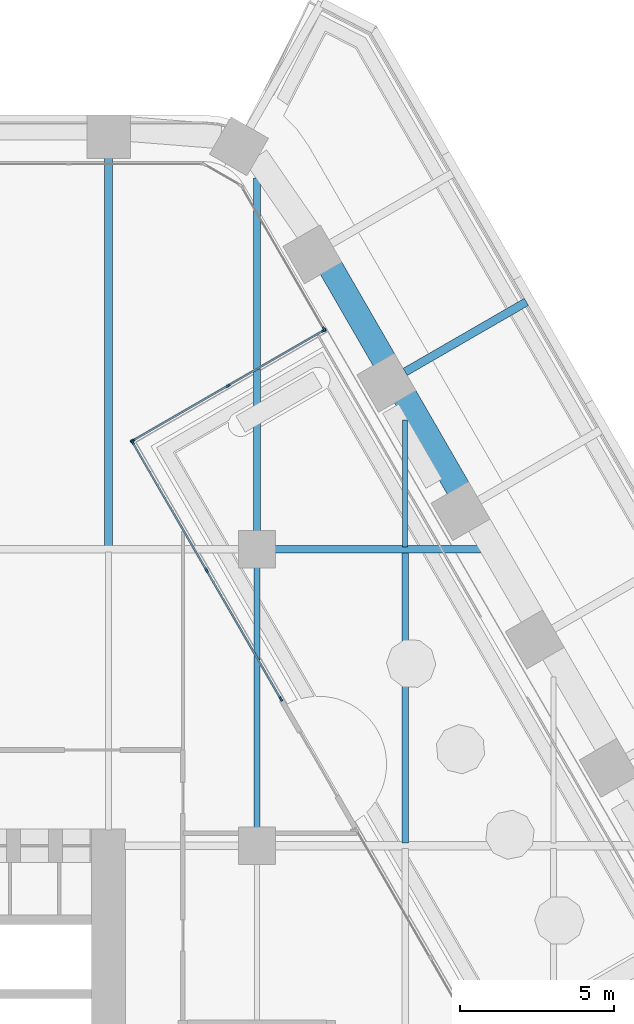
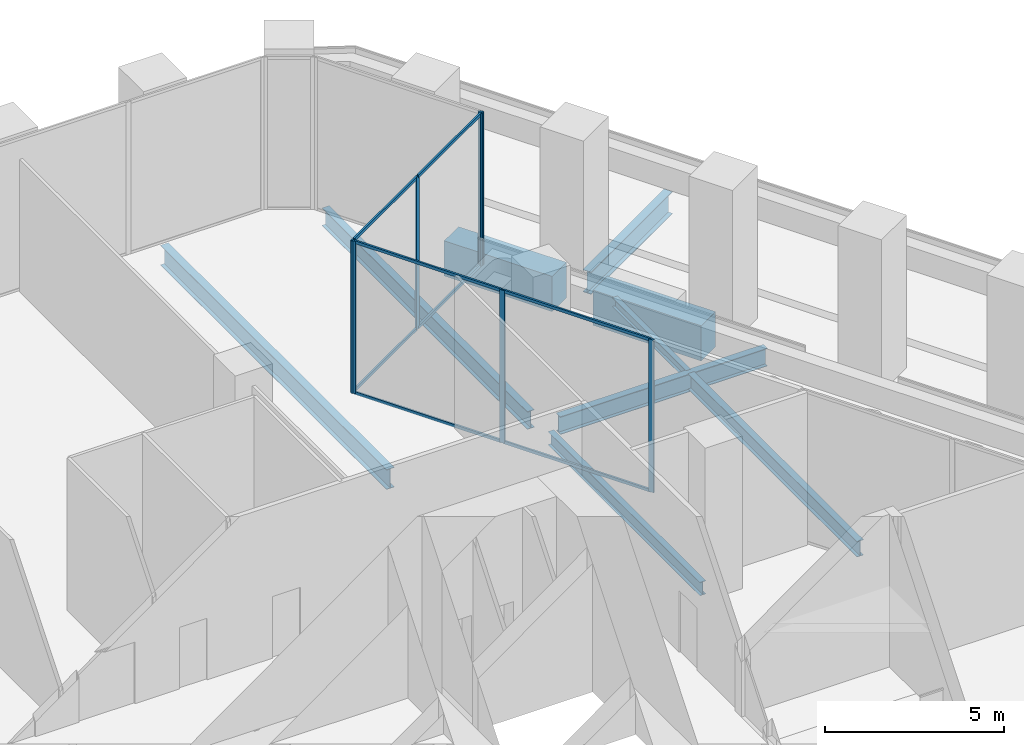
# One storey, part 12 of 32: 15 members, 9 beams, 3 elements without a shape of their own.
"""IFC4 building model written with IfcOpenShell, lengths in metres."""

from ifc_helpers import new_model, si_unit, direction, frame, origin, origin_2d, place, context, subcontext, project, spatial, rectangle, i_section, extrude, material, material_profile, profile_set, type_object, element, aggregate, save


model = new_model("IFC4")

# Units and contexts
model_context = context("Model", 3, precision=1e-05, world=origin(), true_north=direction((0.0, 1.0)))
body_context = subcontext(model_context, "Body", "Model", "MODEL_VIEW")
ifc_project = project(units=[si_unit("LENGTHUNIT", "METRE"), si_unit("AREAUNIT", "SQUARE_METRE"), si_unit("VOLUMEUNIT", "CUBIC_METRE"), si_unit("PLANEANGLEUNIT", "RADIAN"), si_unit("MASSUNIT", "GRAM", prefix="KILO")], contexts=[model_context])

# Site, building, storey
site_placement = place(None, origin())
site = spatial("IfcSite", under=ifc_project, at=site_placement, CompositionType="ELEMENT")
building_placement = place(site_placement, origin())
building = spatial("IfcBuilding", under=site, at=building_placement, Name="Kolab Exchange Tower", CompositionType="ELEMENT")
storey_placement = place(building_placement, frame((0.0, 0.0, 60.89990234375)))
storey = spatial("IfcBuildingStorey", under=building, at=storey_placement, Name="L11", CompositionType="ELEMENT", Elevation=60.89990234375)

# Beams
ifc_material_1 = material(Name="Steel S355", Category="steel")
ifc_material_profile_1 = material_profile(ifc_material_1, i_section(OverallWidth=0.1650390625, OverallDepth=0.31005859375, WebThickness=0.005859375, FlangeThickness=0.009765625, at=origin_2d()), Name="W310X39")
ifc_profile_set_1 = profile_set([ifc_material_profile_1], Name="Steel S355")
beam_type_1 = type_object("IfcBeamType", Name="FLOOR BEAM W310X39", PredefinedType="BEAM", material=ifc_profile_set_1)
beam_1_placement = place(storey_placement, frame((24.0, 19.27392578125, -0.40478515625), z_axis=(0.0, 1.0, 0.0), x_axis=(-1.0, 0.0, 0.0)))
element("IfcBeam", 1, at=beam_1_placement, inside=storey, type_object=beam_type_1, Name="beam/L11/fr/057", PredefinedType="BEAM", context=body_context, shape_type="SweptSolid", body=[
    extrude(i_section(OverallWidth=0.1650390625, OverallDepth=0.31005859375, WebThickness=0.005859375, FlangeThickness=0.009765625, at=origin_2d()), origin(), (0.0, 0.0, 1.0), 4.107666015625),
])
ifc_material_profile_2 = material_profile(ifc_material_1, i_section(OverallWidth=0.18994140625, OverallDepth=0.45703125, WebThickness=0.009033203125, FlangeThickness=0.014404296875, at=origin_2d()), Name="W460X74")
ifc_profile_set_2 = profile_set([ifc_material_profile_2], Name="Steel S355")
beam_type_2 = type_object("IfcBeamType", Name="FLOOR BEAM W460X74", PredefinedType="BEAM", material=ifc_profile_set_2)
beam_2_placement = place(storey_placement, frame((19.199951171875, 10.159912109375, -0.478515625), z_axis=(0.0, 1.0, 0.0), x_axis=(-1.0, 0.0, 0.0)))
element("IfcBeam", 2, at=beam_2_placement, inside=storey, type_object=beam_type_2, Name="beam/L11/fr/050", PredefinedType="BEAM", context=body_context, shape_type="SweptSolid", body=[
    extrude(i_section(OverallWidth=0.18994140625, OverallDepth=0.45703125, WebThickness=0.009033203125, FlangeThickness=0.014404296875, at=origin_2d()), origin(), (0.0, 0.0, 1.0), 8.47998046875),
])
ifc_material_profile_3 = material_profile(ifc_material_1, i_section(OverallWidth=0.208984375, OverallDepth=0.532958984375, WebThickness=0.01025390625, FlangeThickness=0.015625, at=origin_2d()), Name="W530X92")
ifc_profile_set_3 = profile_set([ifc_material_profile_3], Name="Steel S355")
beam_type_3 = type_object("IfcBeamType", Name="FLOOR BEAM W530X92", PredefinedType="BEAM", material=ifc_profile_set_3)
beam_3_placement = place(storey_placement, frame((24.0, 9.693603515625, -0.516357421875), z_axis=(0.0, 1.0, 0.0), x_axis=(-1.0, 0.0, 0.0)))
element("IfcBeam", 3, at=beam_3_placement, inside=storey, type_object=beam_type_3, Name="beam/L11/fr/056", PredefinedType="BEAM", context=body_context, shape_type="SweptSolid", body=[
    extrude(i_section(OverallWidth=0.208984375, OverallDepth=0.532958984375, WebThickness=0.01025390625, FlangeThickness=0.015625, at=origin_2d()), origin(), (0.0, 0.0, 1.0), 9.432373046875),
])
ifc_material_profile_4 = material_profile(ifc_material_1, i_section(OverallWidth=0.22802734375, OverallDepth=0.60791015625, WebThickness=0.01123046875, FlangeThickness=0.017333984375, at=origin_2d()), Name="W610X113")
ifc_profile_set_4 = profile_set([ifc_material_profile_4], Name="Steel S355")
beam_type_4 = type_object("IfcBeamType", Name="FLOOR BEAM W610X113", PredefinedType="BEAM", material=ifc_profile_set_4)
beam_4_placement = place(storey_placement, frame((19.199951171875, 19.760009765625, -0.553955078125), z_axis=(0.0, 1.0, 0.0), x_axis=(-1.0, 0.0, 0.0)))
element("IfcBeam", 4, at=beam_4_placement, inside=storey, type_object=beam_type_4, Name="beam/L11/fr/051", PredefinedType="BEAM", context=body_context, shape_type="SweptSolid", body=[
    extrude(i_section(OverallWidth=0.22802734375, OverallDepth=0.60791015625, WebThickness=0.01123046875, FlangeThickness=0.017333984375, at=origin_2d()), origin(), (0.0, 0.0, 1.0), 11.45458984375),
])
ifc_material_profile_5 = material_profile(ifc_material_1, i_section(OverallWidth=0.25390625, OverallDepth=0.68408203125, WebThickness=0.012451171875, FlangeThickness=0.018798828125, at=origin_2d()), Name="W690X140")
ifc_profile_set_5 = profile_set([ifc_material_profile_5], Name="Steel S355")
beam_type_5 = type_object("IfcBeamType", Name="FLOOR BEAM W690X140", PredefinedType="BEAM", material=ifc_profile_set_5)
beam_5_placement = place(storey_placement, frame((14.39990234375, 19.287109375, -0.591796875), z_axis=(0.0, 1.0, 0.0), x_axis=(-1.0, 0.0, 0.0)))
element("IfcBeam", 5, at=beam_5_placement, inside=storey, type_object=beam_type_5, Name="beam/L11/fr/045", PredefinedType="BEAM", context=body_context, shape_type="SweptSolid", body=[
    extrude(i_section(OverallWidth=0.25390625, OverallDepth=0.68408203125, WebThickness=0.012451171875, FlangeThickness=0.018798828125, at=origin_2d()), origin(), (0.0, 0.0, 1.0), 12.6083984375),
])
ifc_material_profile_6 = material_profile(ifc_material_1, i_section(OverallWidth=0.22802734375, OverallDepth=0.60791015625, WebThickness=0.01123046875, FlangeThickness=0.017333984375, at=origin_2d()), Name="W610X113")
ifc_profile_set_6 = profile_set([ifc_material_profile_6], Name="Steel S355")
beam_type_6 = type_object("IfcBeamType", Name="FLOOR GIRDER W610X113", PredefinedType="BEAM", material=ifc_profile_set_6)
beam_6_placement = place(storey_placement, frame((19.760009765625, 19.199951171875, -0.553955078125), z_axis=(1.0, 0.0, 0.0), x_axis=(0.0, 1.0, 0.0)))
element("IfcBeam", 6, at=beam_6_placement, inside=storey, type_object=beam_type_6, Name="beam/L11/gd/023", PredefinedType="BEAM", context=body_context, shape_type="SweptSolid", body=[
    extrude(i_section(OverallWidth=0.22802734375, OverallDepth=0.60791015625, WebThickness=0.01123046875, FlangeThickness=0.017333984375, at=origin_2d()), origin(), (0.0, 0.0, 1.0), 6.671142578125),
])
ifc_material_profile_7 = material_profile(ifc_material_1, i_section(OverallWidth=0.26708984375, OverallDepth=0.761962890625, WebThickness=0.014404296875, FlangeThickness=0.021484375, at=origin_2d()), Name="W760X173")
ifc_profile_set_7 = profile_set([ifc_material_profile_7], Name="Steel S355")
beam_type_7 = type_object("IfcBeamType", Name="FLOOR GIRDER W760X173", PredefinedType="BEAM", material=ifc_profile_set_7)
beam_7_placement = place(storey_placement, frame((24.0, 24.94140625, -0.69091796875), z_axis=(0.866020560687, 0.500008388397, 0.0), x_axis=(-0.500008388397, 0.866020560687, 0.0)))
element("IfcBeam", 7, at=beam_7_placement, inside=storey, type_object=beam_type_7, Name="beam/L11/ledge/rib-02", PredefinedType="BEAM", context=body_context, shape_type="SweptSolid", body=[
    extrude(i_section(OverallWidth=0.26708984375, OverallDepth=0.761962890625, WebThickness=0.014404296875, FlangeThickness=0.021484375, at=origin_2d()), origin(), (0.0, 0.0, 1.0), 4.533203125),
])
ifc_material_2 = material(Name="Concrete C80/95", Category="concrete")
ifc_material_profile_8 = material_profile(ifc_material_2, rectangle(XDim=0.800048828125, YDim=1.199951171875, at=origin_2d()), Name="RC800X1200")
ifc_profile_set_8 = profile_set([ifc_material_profile_8], Name="Concrete C80/95")
beam_type_8 = type_object("IfcBeamType", Name="SPANDREL BEAM 800X1200 C80/95", PredefinedType="BEAM", material=ifc_profile_set_8)
beam_8_placement = place(storey_placement, frame((21.58349609375, 28.326904296875, -0.849853515625), z_axis=(0.499979528911, -0.866037222451, 0.0), x_axis=(0.866037222451, 0.499979528911, 0.0)))
element("IfcBeam", 8, at=beam_8_placement, inside=storey, type_object=beam_type_8, Name="beam/L11/sp/F2-02", PredefinedType="BEAM", context=body_context, shape_type="SweptSolid", body=[
    extrude(rectangle(XDim=0.800048828125, YDim=1.199951171875, at=origin_2d()), origin(), (0.0, 0.0, 1.0), 3.480224609375),
])
beam_9_placement = place(storey_placement, frame((23.983642578125, 24.169921875, -0.849853515625), z_axis=(0.500009906705, -0.86601968407, 0.0), x_axis=(0.86601968407, 0.500009906705, 0.0)))
element("IfcBeam", 9, at=beam_9_placement, inside=storey, type_object=beam_type_8, Name="beam/L11/sp/F2-03", PredefinedType="BEAM", context=body_context, shape_type="SweptSolid", body=[
    extrude(rectangle(XDim=0.800048828125, YDim=1.199951171875, at=origin_2d()), origin(), (0.0, 0.0, 1.0), 3.47998046875),
])

# Curtain wall, member
ifc_material_3 = material(Name="Aluminium EN AW-6063 T6", Category="aluminium")
curtain_wall_type = type_object("IfcCurtainWallType", Name="UNITISED LOW ZONE CURTAIN WALL", PredefinedType="NOTDEFINED", material=ifc_material_3)
curtain_wall_1_placement = place(storey_placement, origin())
curtain_wall_1 = element("IfcCurtainWall", 10, at=curtain_wall_1_placement, inside=storey, type_object=curtain_wall_type, Name="cw/L11/F2-l-1", PredefinedType="NOTDEFINED")
ifc_material_profile_9 = material_profile(ifc_material_3, rectangle(XDim=0.06005859375, YDim=0.159912109375, at=origin_2d()), Name="RECT 60X160")
ifc_profile_set_9 = profile_set([ifc_material_profile_9], Name="Aluminium EN AW-6063 T6")
member_type_1 = type_object("IfcMemberType", Name="UNITISED LOW ZONE MULLION 60 X 160", PredefinedType="MULLION", material=ifc_profile_set_9)
member_1_placement = place(storey_placement, frame((21.376708984375, 26.3251953125, 0.0), z_axis=(0.0, 0.0, 1.0), x_axis=(0.866025377133, 0.500000046161, 0.0)))
member_1 = element("IfcMember", 11, at=member_1_placement, type_object=member_type_1, Name="CW1 mullion 2", PredefinedType="MULLION", context=body_context, shape_type="SweptSolid", body=[
    extrude(rectangle(XDim=0.06005859375, YDim=0.159912109375, at=origin_2d()), origin(), (0.0, 0.0, 1.0), 5.2001953125),
])
aggregate(curtain_wall_1, [member_1])

# Curtain wall, members
curtain_wall_2_placement = place(storey_placement, origin())
curtain_wall_2 = element("IfcCurtainWall", 12, at=curtain_wall_2_placement, inside=storey, type_object=curtain_wall_type, Name="cw/L11/F2-rl-1", PredefinedType="NOTDEFINED")
member_2_placement = place(storey_placement, frame((21.36572265625, 26.2841796875, 0.0), z_axis=(0.0, 0.0, 1.0), x_axis=(0.499999994423, -0.866025407005, 0.0)))
member_2 = element("IfcMember", 13, at=member_2_placement, type_object=member_type_1, Name="CW1 mullion 1", PredefinedType="MULLION", context=body_context, shape_type="SweptSolid", body=[
    extrude(rectangle(XDim=0.06005859375, YDim=0.159912109375, at=origin_2d()), origin(), (0.0, 0.0, 1.0), 5.2001953125),
])
member_3_placement = place(storey_placement, frame((18.27392578125, 24.499267578125, 0.0), z_axis=(0.0, 0.0, 1.0), x_axis=(0.499999994423, -0.866025407005, 0.0)))
member_3 = element("IfcMember", 14, at=member_3_placement, type_object=member_type_1, Name="CW1 mullion 2", PredefinedType="MULLION", context=body_context, shape_type="SweptSolid", body=[
    extrude(rectangle(XDim=0.06005859375, YDim=0.159912109375, at=origin_2d()), origin(), (0.0, 0.0, 1.0), 5.2001953125),
])
member_4_placement = place(storey_placement, frame((15.182373046875, 22.71435546875, 0.0), z_axis=(0.0, 0.0, 1.0), x_axis=(0.499999994423, -0.866025407005, 0.0)))
member_4 = element("IfcMember", 15, at=member_4_placement, type_object=member_type_1, Name="CW1 mullion 3", PredefinedType="MULLION", context=body_context, shape_type="SweptSolid", body=[
    extrude(rectangle(XDim=0.06005859375, YDim=0.159912109375, at=origin_2d()), origin(), (0.0, 0.0, 1.0), 5.2001953125),
])

curtain_wall_3_placement = place(storey_placement, origin())
curtain_wall_3 = element("IfcCurtainWall", 16, at=curtain_wall_3_placement, inside=storey, type_object=curtain_wall_type, Name="cw/L11/F2-back-1", PredefinedType="NOTDEFINED")
member_5_placement = place(storey_placement, frame((15.17138671875, 22.67333984375, 0.0), z_axis=(0.0, 0.0, 1.0), x_axis=(0.866025416665, 0.49999997769, 0.0)))
member_5 = element("IfcMember", 17, at=member_5_placement, type_object=member_type_1, Name="CW1 mullion 1", PredefinedType="MULLION", context=body_context, shape_type="SweptSolid", body=[
    extrude(rectangle(XDim=0.06005859375, YDim=0.159912109375, at=origin_2d()), origin(), (0.0, 0.0, 1.0), 5.2001953125),
])
member_6_placement = place(storey_placement, frame((17.572265625, 18.5146484375, 0.0), z_axis=(0.0, 0.0, 1.0), x_axis=(0.866025416665, 0.49999997769, 0.0)))
member_6 = element("IfcMember", 18, at=member_6_placement, type_object=member_type_1, Name="CW1 mullion 2", PredefinedType="MULLION", context=body_context, shape_type="SweptSolid", body=[
    extrude(rectangle(XDim=0.06005859375, YDim=0.159912109375, at=origin_2d()), origin(), (0.0, 0.0, 1.0), 5.2001953125),
])
member_7_placement = place(storey_placement, frame((19.973388671875, 14.35595703125, 0.0), z_axis=(0.0, 0.0, 1.0), x_axis=(0.866025416665, 0.49999997769, 0.0)))
member_7 = element("IfcMember", 19, at=member_7_placement, type_object=member_type_1, Name="CW1 mullion 3", PredefinedType="MULLION", context=body_context, shape_type="SweptSolid", body=[
    extrude(rectangle(XDim=0.06005859375, YDim=0.159912109375, at=origin_2d()), origin(), (0.0, 0.0, 1.0), 5.2001953125),
])

# Member
ifc_material_profile_10 = material_profile(ifc_material_3, rectangle(XDim=0.06005859375, YDim=0.10009765625, at=origin_2d()), Name="RECT 60X100")
ifc_profile_set_10 = profile_set([ifc_material_profile_10], Name="Aluminium EN AW-6063 T6")
member_type_2 = type_object("IfcMemberType", Name="UNITISED LOW ZONE TRANSOM 60 X 100", PredefinedType="USERDEFINED", material=ifc_profile_set_10)
member_8_placement = place(storey_placement, frame((21.339599609375, 26.269287109375, 0.030029296875), z_axis=(-0.86599560964, -0.500051601422, 0.0), x_axis=(0.500051601422, -0.86599560964, 0.0)))
member_8 = element("IfcMember", 20, at=member_8_placement, type_object=member_type_2, Name="CW1 transom 1.1", ObjectType="TRANSOM", PredefinedType="USERDEFINED", context=body_context, shape_type="SweptSolid", body=[
    extrude(rectangle(XDim=0.06005859375, YDim=0.10009765625, at=origin_2d()), origin(), (0.0, 0.0, 1.0), 3.510009765625),
])

member_9_placement = place(storey_placement, frame((21.339599609375, 26.269287109375, 5.170166015625), z_axis=(-0.86599560964, -0.500051601422, 0.0), x_axis=(0.500051601422, -0.86599560964, 0.0)))
member_9 = element("IfcMember", 21, at=member_9_placement, type_object=member_type_2, Name="CW1 transom 1.2", ObjectType="TRANSOM", PredefinedType="USERDEFINED", context=body_context, shape_type="SweptSolid", body=[
    extrude(rectangle(XDim=0.06005859375, YDim=0.10009765625, at=origin_2d()), origin(), (0.0, 0.0, 1.0), 3.510009765625),
])

member_10_placement = place(storey_placement, frame((18.248046875, 24.484375, 0.030029296875), z_axis=(-0.866013001128, -0.500021481416, 0.0), x_axis=(0.500021481416, -0.866013001128, 0.0)))
member_10 = element("IfcMember", 22, at=member_10_placement, type_object=member_type_2, Name="CW1 transom 2.1", ObjectType="TRANSOM", PredefinedType="USERDEFINED", context=body_context, shape_type="SweptSolid", body=[
    extrude(rectangle(XDim=0.06005859375, YDim=0.10009765625, at=origin_2d()), origin(), (0.0, 0.0, 1.0), 3.510009765625),
])

member_11_placement = place(storey_placement, frame((18.248046875, 24.484375, 5.170166015625), z_axis=(-0.866013001128, -0.500021481416, 0.0), x_axis=(0.500021481416, -0.866013001128, 0.0)))
member_11 = element("IfcMember", 23, at=member_11_placement, type_object=member_type_2, Name="CW1 transom 2.2", ObjectType="TRANSOM", PredefinedType="USERDEFINED", context=body_context, shape_type="SweptSolid", body=[
    extrude(rectangle(XDim=0.06005859375, YDim=0.10009765625, at=origin_2d()), origin(), (0.0, 0.0, 1.0), 3.510009765625),
])

aggregate(curtain_wall_2, [member_2, member_3, member_4, member_8, member_9, member_10, member_11])

member_12_placement = place(storey_placement, frame((15.186279296875, 22.647216796875, 0.030029296875), z_axis=(0.500015102392, -0.866016684239, 0.0), x_axis=(0.866016684239, 0.500015102392, 0.0)))
member_12 = element("IfcMember", 24, at=member_12_placement, type_object=member_type_2, Name="CW1 transom 1.1", ObjectType="TRANSOM", PredefinedType="USERDEFINED", context=body_context, shape_type="SweptSolid", body=[
    extrude(rectangle(XDim=0.06005859375, YDim=0.10009765625, at=origin_2d()), origin(), (0.0, 0.0, 1.0), 4.741943359375),
])

member_13_placement = place(storey_placement, frame((15.186279296875, 22.647216796875, 5.170166015625), z_axis=(0.500015102392, -0.866016684239, 0.0), x_axis=(0.866016684239, 0.500015102392, 0.0)))
member_13 = element("IfcMember", 25, at=member_13_placement, type_object=member_type_2, Name="CW1 transom 1.2", ObjectType="TRANSOM", PredefinedType="USERDEFINED", context=body_context, shape_type="SweptSolid", body=[
    extrude(rectangle(XDim=0.06005859375, YDim=0.10009765625, at=origin_2d()), origin(), (0.0, 0.0, 1.0), 4.741943359375),
])

member_14_placement = place(storey_placement, frame((17.58740234375, 18.48876953125, 0.030029296875), z_axis=(0.499976488486, -0.866038977738, 0.0), x_axis=(0.866038977738, 0.499976488486, 0.0)))
member_14 = element("IfcMember", 26, at=member_14_placement, type_object=member_type_2, Name="CW1 transom 2.1", ObjectType="TRANSOM", PredefinedType="USERDEFINED", context=body_context, shape_type="SweptSolid", body=[
    extrude(rectangle(XDim=0.06005859375, YDim=0.10009765625, at=origin_2d()), origin(), (0.0, 0.0, 1.0), 4.741943359375),
])

member_15_placement = place(storey_placement, frame((17.58740234375, 18.48876953125, 5.170166015625), z_axis=(0.499976488486, -0.866038977738, 0.0), x_axis=(0.866038977738, 0.499976488486, 0.0)))
member_15 = element("IfcMember", 27, at=member_15_placement, type_object=member_type_2, Name="CW1 transom 2.2", ObjectType="TRANSOM", PredefinedType="USERDEFINED", context=body_context, shape_type="SweptSolid", body=[
    extrude(rectangle(XDim=0.06005859375, YDim=0.10009765625, at=origin_2d()), origin(), (0.0, 0.0, 1.0), 4.741943359375),
])

aggregate(curtain_wall_3, [member_5, member_6, member_7, member_12, member_13, member_14, member_15])

save(model, "model.ifc")
